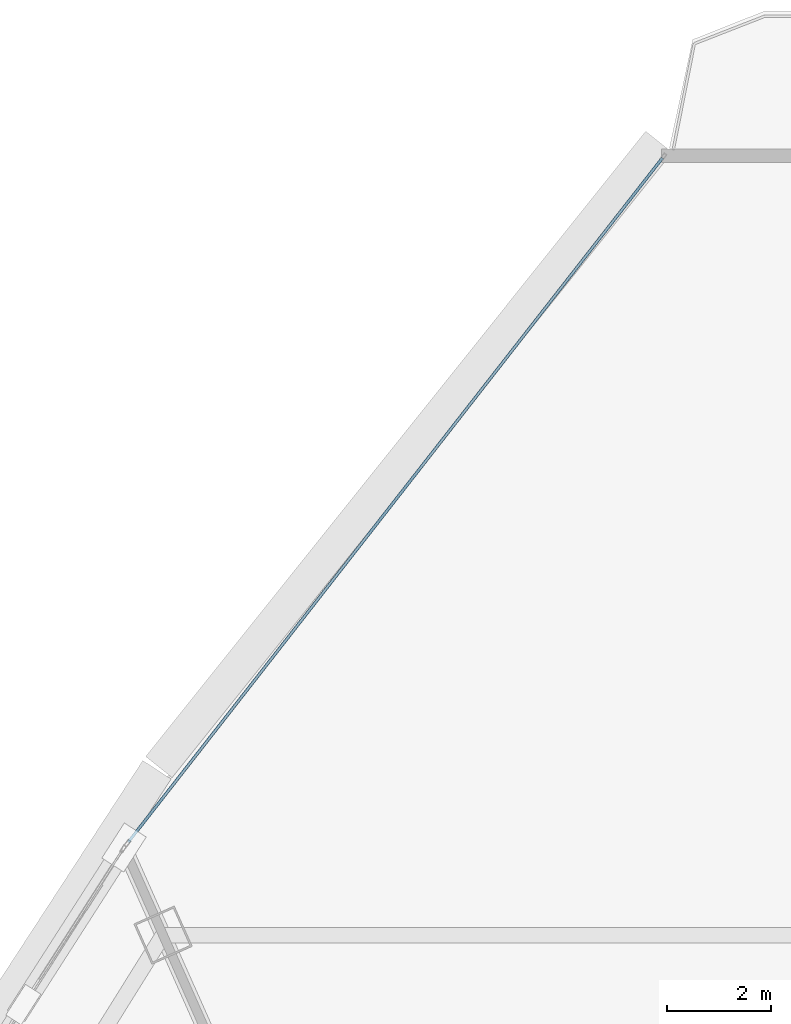
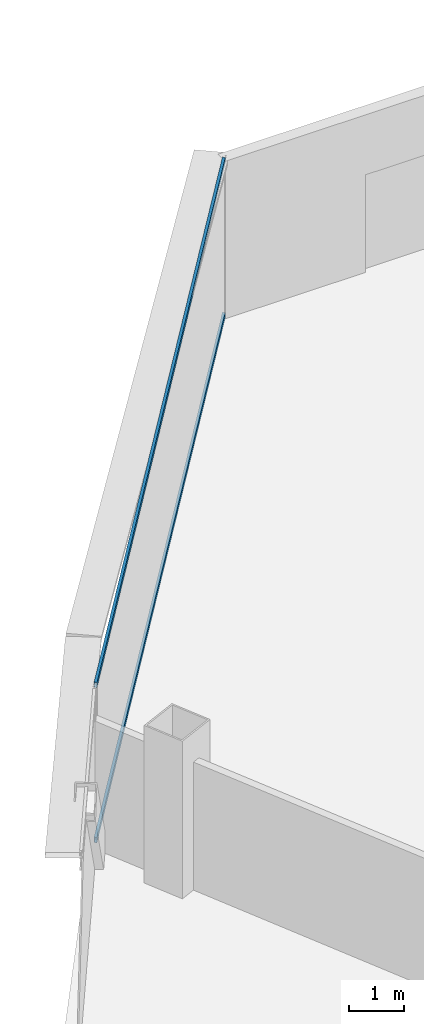
# One storey, part 20 of 37: 2 members, 1 element without a shape of its own.
"""IFC4 building model written with IfcOpenShell, lengths in metres."""

from ifc_helpers import new_model, si_unit, direction, frame, origin, origin_2d, place, context, subcontext, project, spatial, hollow_rectangle, extrude, source, transform, mapped, material, layer, layer_set, material_profile, profile_set, type_object, element, aggregate, save


model = new_model("IFC4")

# Units and contexts
model_context = context("Model", 3, precision=1e-05, world=origin(), true_north=direction((0.0, 1.0)))
body_context = subcontext(model_context, "Body", "Model", "MODEL_VIEW")
ifc_project = project(units=[si_unit("LENGTHUNIT", "METRE"), si_unit("AREAUNIT", "SQUARE_METRE"), si_unit("VOLUMEUNIT", "CUBIC_METRE"), si_unit("PLANEANGLEUNIT", "RADIAN"), si_unit("MASSUNIT", "GRAM", prefix="KILO"), si_unit("THERMODYNAMICTEMPERATUREUNIT", "KELVIN"), si_unit("POWERUNIT", "WATT")], contexts=[model_context])

# Site, building, storey
site_placement = place(None, origin())
site = spatial("IfcSite", under=ifc_project, at=site_placement, CompositionType="ELEMENT")
building_placement = place(site_placement, origin())
building = spatial("IfcBuilding", under=site, at=building_placement, Name="Yunzhuo Pagoda Commons", CompositionType="ELEMENT")
storey_placement = place(building_placement, frame((0.0, 0.0, 255.719970703125)))
storey = spatial("IfcBuildingStorey", under=building, at=storey_placement, Name="L64", CompositionType="ELEMENT", Elevation=255.719970703125)

# Curtain wall, members
ifc_material = material(Name="Anodized aluminium 6063-T6", Category="aluminium")
ifc_layer = layer(ifc_material, 0.139892578125)
ifc_layer_set = layer_set([ifc_layer], Name="Anodized aluminium 6063-T6")
curtain_wall_type = type_object("IfcCurtainWallType", Name="CW-HI High-Zone Ribbon Curtain Wall", PredefinedType="NOTDEFINED", material=ifc_layer_set)
curtain_wall_placement = place(storey_placement, origin())
curtain_wall = element("IfcCurtainWall", 1, at=curtain_wall_placement, inside=storey, type_object=curtain_wall_type, Name="L64 curtain wall CW-L64-F3B1", PredefinedType="NOTDEFINED")
ifc_material_profile = material_profile(ifc_material, hollow_rectangle(XDim=0.054931640625, YDim=0.1201171875, WallThickness=0.00341796875, at=origin_2d()), Name="Anodized aluminium 6063-T6")
ifc_profile_set = profile_set([ifc_material_profile], Name="Anodized aluminium 6063-T6")
member_type = type_object("IfcMemberType", Name="CW-HI-T Transom RHS 120x55x3.5", PredefinedType="USERDEFINED", material=ifc_profile_set)
shared_shape = source(origin(), body_context, "Body", "SweptSolid", [
    extrude(hollow_rectangle(XDim=0.054931640625, YDim=0.1201171875, WallThickness=0.00341796875, at=origin_2d()), origin(), (0.0, 0.0, 1.0), 16.6796875),
])
member_1_placement = place(storey_placement, frame((44.191650390625, 78.75, 0.027587890625), z_axis=(-0.615423035215, -0.788196985357, 0.0), x_axis=(0.788196985357, -0.615423035215, 0.0)))
member_1 = element("IfcMember", 2, at=member_1_placement, type_object=member_type, Name="CW transom 1.1", ObjectType="TRANSOM", PredefinedType="USERDEFINED", context=body_context, shape_type="MappedRepresentation", body=[
    mapped(shared_shape, transform((0.0, 0.0, 0.0), scale=1.0)),
])
member_2_placement = place(storey_placement, frame((44.191650390625, 78.75, 3.442626953125), z_axis=(-0.615423035215, -0.788196985357, 0.0), x_axis=(0.788196985357, -0.615423035215, 0.0)))
member_2 = element("IfcMember", 3, at=member_2_placement, type_object=member_type, Name="CW transom 1.2", ObjectType="TRANSOM", PredefinedType="USERDEFINED", context=body_context, shape_type="MappedRepresentation", body=[
    mapped(shared_shape, transform((0.0, 0.0, 0.0), scale=1.0)),
])
aggregate(curtain_wall, [member_1, member_2])

save(model, "model.ifc")
